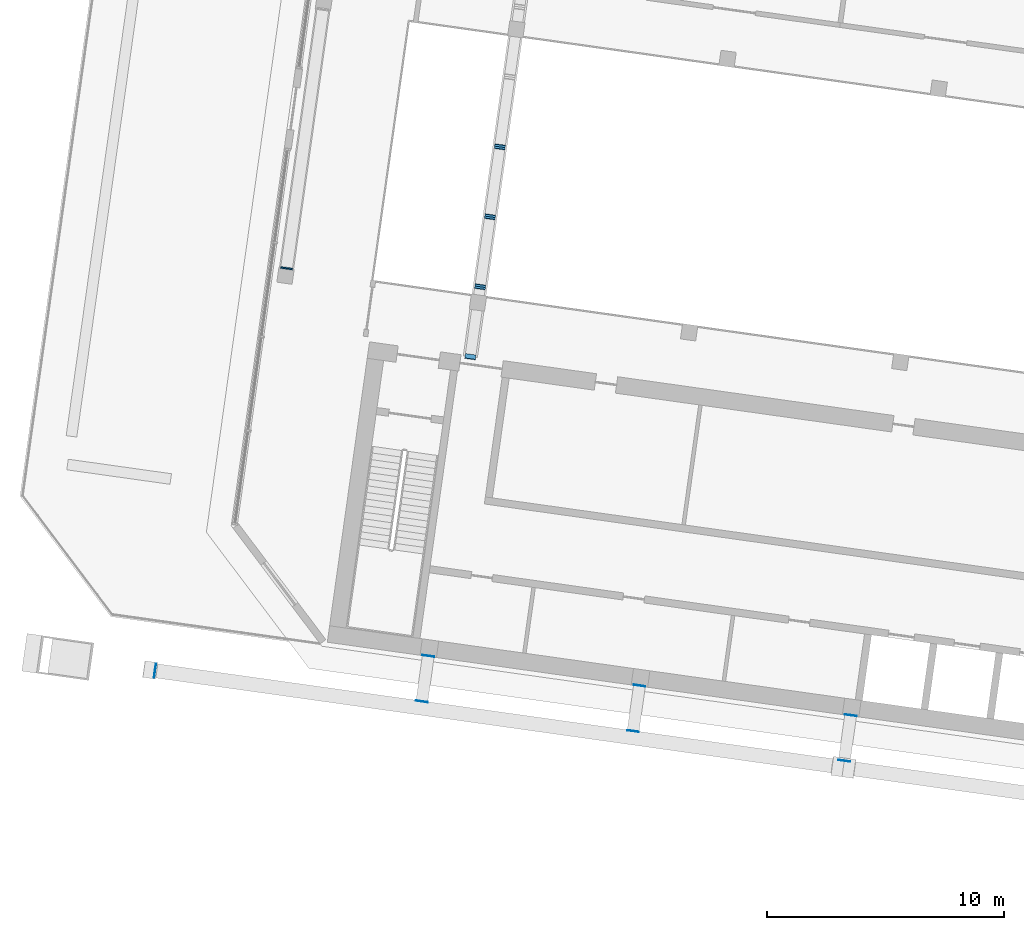
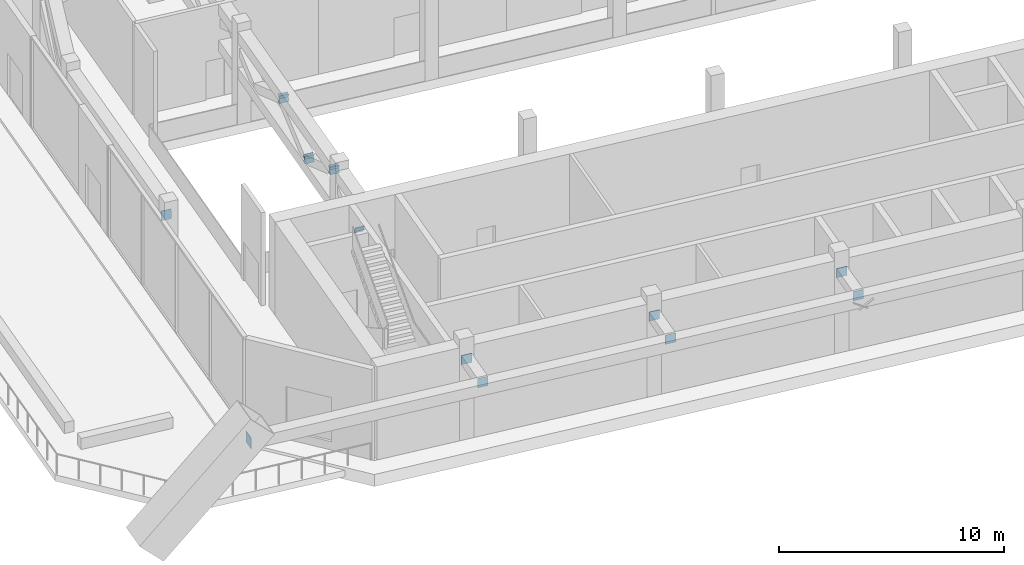
# One storey, part 29 of 41: 15 discrete accessories.
"""IFC4 building model written with IfcOpenShell, lengths in metres."""

import ifcopenshell
import ifcopenshell.guid

model = None  # the IFC model being written
_history = None  # IfcOwnerHistory: only IFC2X3 demands one
_inside = {}  # id of a spatial element -> (the spatial element, [elements in it])
_under = {}  # id of a project, library or spatial element -> (it, [spatial elements below it])
_declared = {}  # id of a project -> (the project, [libraries it declares])
_typed = {}  # id of a type object -> (the type object, [elements of that type])
_made_of = {}  # id of a material, layer set ... -> (it, [elements and type objects made of it])


def new_model(schema):
    """Start an empty IFC model of exactly this schema.

    Asked for "IFC4X3", IfcOpenShell would pick the latest addendum, in which some entities
    have other attributes; the version numbers below select the first issue.
    IFC2X3 requires an IfcOwnerHistory on every rooted entity: one is made here for all.
    """
    global model, _history
    if schema == "IFC4X3":
        model = ifcopenshell.file(schema_version=(4, 3, 0, 0))
    else:
        model = ifcopenshell.file(schema=schema)
    _inside.clear()
    _under.clear()
    _declared.clear()
    _typed.clear()
    _made_of.clear()
    _history = None
    if model.schema == "IFC2X3":
        org = make("IfcOrganization", Name="unknown")
        user = make(
            "IfcPersonAndOrganization",
            ThePerson=make("IfcPerson", FamilyName="unknown"),
            TheOrganization=org,
        )
        app = make(
            "IfcApplication",
            ApplicationDeveloper=org,
            Version="unknown",
            ApplicationFullName="unknown",
            ApplicationIdentifier="unknown",
        )
        _history = make(
            "IfcOwnerHistory",
            OwningUser=user,
            OwningApplication=app,
            ChangeAction="ADDED",
            CreationDate=0,
        )
    return model


def make(cls, **values):
    """One entity of the class cls with the attributes given. An attribute that is None is left unset."""
    return model.create_entity(
        cls, **{name: value for name, value in values.items() if value is not None}
    )


def rooted(cls, **values):
    """An entity with a GlobalId (a new one), such as an element, a storey or a relation."""
    return make(cls, GlobalId=ifcopenshell.guid.new(), OwnerHistory=_history, **values)


def si_unit(unit_type, name, prefix=None):
    """IfcSIUnit, for example si_unit("LENGTHUNIT", "METRE", prefix="MILLI")."""
    return make("IfcSIUnit", UnitType=unit_type, Prefix=prefix, Name=name)


def assignment(units):
    """IfcUnitAssignment: the units of a project."""
    return None if units is None else make("IfcUnitAssignment", Units=units)


def point(xyz):
    """IfcCartesianPoint."""
    return None if xyz is None else make("IfcCartesianPoint", Coordinates=xyz)


def direction(xyz):
    """IfcDirection."""
    return None if xyz is None else make("IfcDirection", DirectionRatios=xyz)


def frame(location, z_axis=None, x_axis=None):
    """IfcAxis2Placement3D, a coordinate frame: its origin and axes. An axis left out is left unset."""
    return make(
        "IfcAxis2Placement3D",
        Location=point(location),
        Axis=direction(z_axis),
        RefDirection=direction(x_axis),
    )


def frame_2d(location, x_axis=None):
    """IfcAxis2Placement2D, a coordinate frame in the plane: its origin and x axis."""
    return make(
        "IfcAxis2Placement2D", Location=point(location), RefDirection=direction(x_axis)
    )


def origin():
    """The frame at (0, 0, 0) with its axes left unset."""
    return frame((0.0, 0.0, 0.0))


def origin_2d():
    """The frame at (0, 0) in the plane with its x axis left unset."""
    return frame_2d((0.0, 0.0))


def place(relative_to, where):
    """IfcLocalPlacement: puts the frame where relative to a parent placement (None: the world)."""
    return make(
        "IfcLocalPlacement", PlacementRelTo=relative_to, RelativePlacement=where
    )


def context(
    kind, dimensions, precision=None, world=None, true_north=None, identifier=None
):
    """IfcGeometricRepresentationContext, for example the 3D "Model" context."""
    return make(
        "IfcGeometricRepresentationContext",
        ContextIdentifier=identifier,
        ContextType=kind,
        CoordinateSpaceDimension=dimensions,
        Precision=precision,
        WorldCoordinateSystem=world,
        TrueNorth=true_north,
    )


def subcontext(parent, identifier, kind, view, scale=None):
    """IfcGeometricRepresentationSubContext, for example "Body" below "Model"."""
    return make(
        "IfcGeometricRepresentationSubContext",
        ContextIdentifier=identifier,
        ContextType=kind,
        ParentContext=parent,
        TargetScale=scale,
        TargetView=view,
    )


def project(units=None, contexts=None):
    """IfcProject with its units and contexts."""
    return rooted(
        "IfcProject",
        Name="project",
        RepresentationContexts=contexts,
        UnitsInContext=assignment(units),
    )


def spatial(cls, under=None, at=None, **own):
    """A site, building, storey or space (cls), placed at a placement, below another one or the project."""
    s = rooted(cls, ObjectPlacement=at, **own)
    if under is not None:
        _under.setdefault(under.id(), (under, []))[1].append(s)
    return s


def profile(cls, at=None, kind="AREA", **sizes):
    """A parametric profile (cls). Its sizes go by their IFC names, for example OverallWidth=200.0."""
    return make(cls, ProfileType=kind, Position=at, **sizes)


def rectangle(**sizes):
    """IfcRectangleProfileDef."""
    return profile("IfcRectangleProfileDef", **sizes)


def extrude(swept, where, along, depth):
    """IfcExtrudedAreaSolid: the profile swept, set in the frame where, extruded along a direction by depth."""
    return make(
        "IfcExtrudedAreaSolid",
        SweptArea=swept,
        Position=where,
        ExtrudedDirection=direction(along),
        Depth=depth,
    )


def shape(context_of_items, identifier, shape_type, items):
    """IfcShapeRepresentation: the items that make up one representation, for example the "Body"."""
    return make(
        "IfcShapeRepresentation",
        ContextOfItems=context_of_items,
        RepresentationIdentifier=identifier,
        RepresentationType=shape_type,
        Items=items,
    )


def material(Name=None, Category=None):
    """IfcMaterial."""
    return make("IfcMaterial", Name=Name, Category=Category)


def material_profile(
    of_material, cross_section, Name=None, Category=None, Priority=None
):
    """IfcMaterialProfile: a cross section and its material."""
    return make(
        "IfcMaterialProfile",
        Name=Name,
        Material=of_material,
        Profile=cross_section,
        Priority=Priority,
        Category=Category,
    )


def profile_set(profiles, Name=None, composite=None):
    """IfcMaterialProfileSet."""
    return make(
        "IfcMaterialProfileSet",
        Name=Name,
        MaterialProfiles=profiles,
        CompositeProfile=composite,
    )


def made_of(thing, what):
    """Note that an element or type object is made of a material, layer set ...; save() writes the relation."""
    if what is not None:
        _made_of.setdefault(what.id(), (what, []))[1].append(thing)
    return thing


def type_object(cls, material=None, **own):
    """A type object (cls), such as IfcWallType, which elements share."""
    return made_of(rooted(cls, **own), material)


def element(
    cls,
    number,
    at=None,
    inside=None,
    cuts=None,
    type_object=None,
    material=None,
    context=None,
    identifier="Body",
    shape_type=None,
    held_by="IfcProductDefinitionShape",
    body=None,
    shapes=None,
    **own,
):
    """One element of the class cls, such as IfcWall. Its Tag is "e" and its number.

    at: its placement. inside: the storey or other place that contains it. cuts: it is an
    opening in that element (IfcRelVoidsElement). A single representation is given by context,
    identifier, shape_type and body (its items); several are given by shapes. held_by: the class
    of the entity that holds the representations. save() writes the other relations.
    """
    e = rooted(cls, Tag="e%d" % number, ObjectPlacement=at, **own)
    if body is not None:
        shapes = [shape(context, identifier, shape_type, body)]
    if shapes is not None:
        e.Representation = make(held_by, Representations=shapes)
    if inside is not None:
        _inside.setdefault(inside.id(), (inside, []))[1].append(e)
    if cuts is not None:
        rooted(
            "IfcRelVoidsElement", RelatingBuildingElement=cuts, RelatedOpeningElement=e
        )
    if type_object is not None:
        _typed.setdefault(type_object.id(), (type_object, []))[1].append(e)
    return made_of(e, material)


def aggregate(whole, parts):
    """IfcRelAggregates: a whole, such as a stair, and the parts it consists of."""
    return rooted("IfcRelAggregates", RelatingObject=whole, RelatedObjects=parts)


def save(model, path):
    """Write the relations noted so far, then the file.

    IfcRelAggregates (storeys below a building ...), IfcRelContainedInSpatialStructure (elements
    in a storey), IfcRelDefinesByType, IfcRelAssociatesMaterial and IfcRelDeclares: one each for
    every whole, place, type object, material and project.
    """
    for whole, parts in _under.values():
        aggregate(whole, parts)
    for where, things in _inside.values():
        rooted(
            "IfcRelContainedInSpatialStructure",
            RelatedElements=things,
            RelatingStructure=where,
        )
    for kind, things in _typed.values():
        rooted("IfcRelDefinesByType", RelatedObjects=things, RelatingType=kind)
    for what, things in _made_of.values():
        rooted("IfcRelAssociatesMaterial", RelatedObjects=things, RelatingMaterial=what)
    for by, libraries in _declared.values():
        rooted("IfcRelDeclares", RelatingContext=by, RelatedDefinitions=libraries)
    model.write(path)


model = new_model("IFC4")

# Units and contexts
model_context = context("Model", 3, precision=1e-05, world=origin(), true_north=direction((0.0, 1.0)))
body_context = subcontext(model_context, "Body", "Model", "MODEL_VIEW")
ifc_project = project(units=[si_unit("LENGTHUNIT", "METRE"), si_unit("AREAUNIT", "SQUARE_METRE"), si_unit("VOLUMEUNIT", "CUBIC_METRE"), si_unit("PLANEANGLEUNIT", "RADIAN"), si_unit("MASSUNIT", "GRAM", prefix="KILO")], contexts=[model_context])

# Site, building, storey
site_placement = place(None, origin())
site = spatial("IfcSite", under=ifc_project, at=site_placement, CompositionType="ELEMENT")
building_placement = place(site_placement, origin())
building = spatial("IfcBuilding", under=site, at=building_placement, Name="Mirante Cascada Hotel Towers", CompositionType="ELEMENT")
storey_placement = place(building_placement, frame((0.0, 0.0, 151.9)))
storey = spatial("IfcBuildingStorey", under=building, at=storey_placement, Name="L35", CompositionType="ELEMENT", Elevation=151.9)

# Discrete accessories
ifc_material_1 = material(Name="Steel ASTM A572 Gr 50", Category="steel")
ifc_material_profile_1 = material_profile(ifc_material_1, rectangle(XDim=0.45, YDim=0.45, at=origin_2d()), Name="Connection plate 450x450x25 ASTM A572 Gr 50")
ifc_profile_set_1 = profile_set([ifc_material_profile_1], Name="Steel ASTM A572 Gr 50")
discrete_accessory_type_1 = type_object("IfcDiscreteAccessoryType", Name="Connection plate 450x450x25 ASTM A572 Gr 50", PredefinedType="BRACKET", material=ifc_profile_set_1)
for number, where, z_axis, x_axis, name in (
    (1, (-84.3153, -0.4672, 3.0948), (0.1280359, 0.9002521, 0.4161165), (-0.9900373, 0.1408053, 0.0), "Connection plate OR356D"),
    (2, (-83.9004, 2.485, 4.4448), (0.1280359, 0.9002521, 0.4161165), (-0.9900373, 0.1408053, 0.0), "Connection plate OR356D"),
    (3, (-83.9004, 2.485, 4.4552), (0.1280359, 0.9002521, -0.4161165), (-0.9900373, 0.1408053, 0.0), "Connection plate OR356D"),
):
    element("IfcDiscreteAccessory", number, at=place(storey_placement, frame(where, z_axis=z_axis, x_axis=x_axis)), inside=storey, type_object=discrete_accessory_type_1, Name=name, PredefinedType="BRACKET", context=body_context, shape_type="SweptSolid", body=[
        extrude(rectangle(XDim=0.45, YDim=0.45, at=origin_2d()), origin(), (0.0, 0.0, 1.0), 0.025),
    ])
for number, where, z_axis, x_axis, name in (
    (4, (-83.4855, 5.4372, 3.1052), (0.1275761, 0.9010064, -0.4146224), (-0.990124, 0.1401945, 0.0), "Connection plate OR356D"),
    (5, (-83.4855, 5.4372, 3.0948), (0.1275761, 0.9010064, 0.4146224), (-0.990124, 0.1401945, 0.0), "Connection plate OR356D"),
):
    element("IfcDiscreteAccessory", number, at=place(storey_placement, frame(where, z_axis=z_axis, x_axis=x_axis)), inside=storey, type_object=discrete_accessory_type_1, Name=name, PredefinedType="BRACKET", context=body_context, shape_type="SweptSolid", body=[
        extrude(rectangle(XDim=0.45, YDim=0.45, at=origin_2d()), origin(), (0.0, 0.0, 1.0), 0.0251),
    ])
for number, where, z_axis, x_axis, name in (
    (6, (-83.0705, 8.3895, 4.4448), (0.1240973, 0.9007064, 0.4163265), (-0.9906417, 0.1364884, 0.0), "Connection plate OR356D"),
    (7, (-83.0705, 8.3895, 4.4552), (0.1240973, 0.9007064, -0.4163265), (-0.9906417, 0.1364884, 0.0), "Connection plate OR356D"),
):
    element("IfcDiscreteAccessory", number, at=place(storey_placement, frame(where, z_axis=z_axis, x_axis=x_axis)), inside=storey, type_object=discrete_accessory_type_1, Name=name, PredefinedType="BRACKET", context=body_context, shape_type="SweptSolid", body=[
        extrude(rectangle(XDim=0.45, YDim=0.45, at=origin_2d()), origin(), (0.0, 0.0, 1.0), 0.025),
    ])
ifc_material_2 = material(Name="Steel ASTM A572 Gr 50", Category="steel")
ifc_material_profile_2 = material_profile(ifc_material_2, rectangle(XDim=0.5, YDim=0.5, at=origin_2d()), Name="Connection plate 500x500x25 ASTM A572 Gr 50")
ifc_profile_set_2 = profile_set([ifc_material_profile_2], Name="Steel ASTM A572 Gr 50")
discrete_accessory_type_2 = type_object("IfcDiscreteAccessoryType", Name="Connection plate 500x500x25 ASTM A572 Gr 50", PredefinedType="BRACKET", material=ifc_profile_set_2)
discrete_accessory_1_placement = place(storey_placement, frame((-92.0689, 3.2822, 4.3486), z_axis=(-0.1394234, -0.983931, 0.1115387), x_axis=(0.9901092, -0.1402989, 0.0)))
element("IfcDiscreteAccessory", 8, at=discrete_accessory_1_placement, inside=storey, type_object=discrete_accessory_type_2, Name="Connection plate BT35D", PredefinedType="BRACKET", context=body_context, shape_type="SweptSolid", body=[
    extrude(rectangle(XDim=0.5, YDim=0.5, at=origin_2d()), origin(), (0.0, 0.0, 1.0), 0.0251),
])
for number, where, z_axis, x_axis, name in (
    (9, (-68.2616, -15.5746, 4.35), (-0.1397442, -0.9901876, 0.0), (0.9901876, -0.1397442, 0.0), "Connection plate TIE"),
    (10, (-68.5316, -17.4957, 4.35), (-0.1397442, -0.9901876, 0.0), (0.9901876, -0.1397442, 0.0), "Connection plate TIE"),
):
    element("IfcDiscreteAccessory", number, at=place(storey_placement, frame(where, z_axis=z_axis, x_axis=x_axis)), inside=storey, type_object=discrete_accessory_type_2, Name=name, PredefinedType="BRACKET", context=body_context, shape_type="SweptSolid", body=[
        extrude(rectangle(XDim=0.5, YDim=0.5, at=origin_2d()), origin(), (0.0, 0.0, 1.0), 0.025),
    ])
for number, where, z_axis, x_axis, name in (
    (11, (-77.174, -14.3221, 4.35), (-0.1402989, -0.9901092, 0.0), (0.9901092, -0.1402989, 0.0), "Connection plate TIE"),
    (12, (-77.444, -16.2432, 4.35), (-0.1402989, -0.9901092, 0.0), (0.9901092, -0.1402989, 0.0), "Connection plate TIE"),
):
    element("IfcDiscreteAccessory", number, at=place(storey_placement, frame(where, z_axis=z_axis, x_axis=x_axis)), inside=storey, type_object=discrete_accessory_type_2, Name=name, PredefinedType="BRACKET", context=body_context, shape_type="SweptSolid", body=[
        extrude(rectangle(XDim=0.5, YDim=0.5, at=origin_2d()), origin(), (0.0, 0.0, 1.0), 0.0249),
    ])
for number, where, z_axis, x_axis, name in (
    (13, (-86.0864, -13.0695, 4.35), (-0.1397442, -0.9901876, 0.0), (0.9901876, -0.1397442, 0.0), "Connection plate TIE"),
    (14, (-86.3564, -14.9906, 4.35), (-0.1397442, -0.9901876, 0.0), (0.9901876, -0.1397442, 0.0), "Connection plate TIE"),
):
    element("IfcDiscreteAccessory", number, at=place(storey_placement, frame(where, z_axis=z_axis, x_axis=x_axis)), inside=storey, type_object=discrete_accessory_type_2, Name=name, PredefinedType="BRACKET", context=body_context, shape_type="SweptSolid", body=[
        extrude(rectangle(XDim=0.5, YDim=0.5, at=origin_2d()), origin(), (0.0, 0.0, 1.0), 0.025),
    ])
ifc_material_3 = material(Name="Steel ASTM A572 Gr 50", Category="steel")
ifc_material_profile_3 = material_profile(ifc_material_3, rectangle(XDim=0.6, YDim=0.6, at=origin_2d()), Name="Connection plate 600x600x25 ASTM A572 Gr 50")
ifc_profile_set_3 = profile_set([ifc_material_profile_3], Name="Steel ASTM A572 Gr 50")
discrete_accessory_type_3 = type_object("IfcDiscreteAccessoryType", Name="Connection plate 600x600x25 ASTM A572 Gr 50", PredefinedType="BRACKET", material=ifc_profile_set_3)
discrete_accessory_2_placement = place(storey_placement, frame((-97.6073, -13.7048, 4.35), z_axis=(-0.9901876, 0.1397442, 0.0), x_axis=(-0.1397442, -0.9901876, 0.0)))
element("IfcDiscreteAccessory", 15, at=discrete_accessory_2_placement, inside=storey, type_object=discrete_accessory_type_3, Name="Connection plate NCH", PredefinedType="BRACKET", context=body_context, shape_type="SweptSolid", body=[
    extrude(rectangle(XDim=0.6, YDim=0.6, at=origin_2d()), origin(), (0.0, 0.0, 1.0), 0.025),
])

save(model, "model.ifc")
